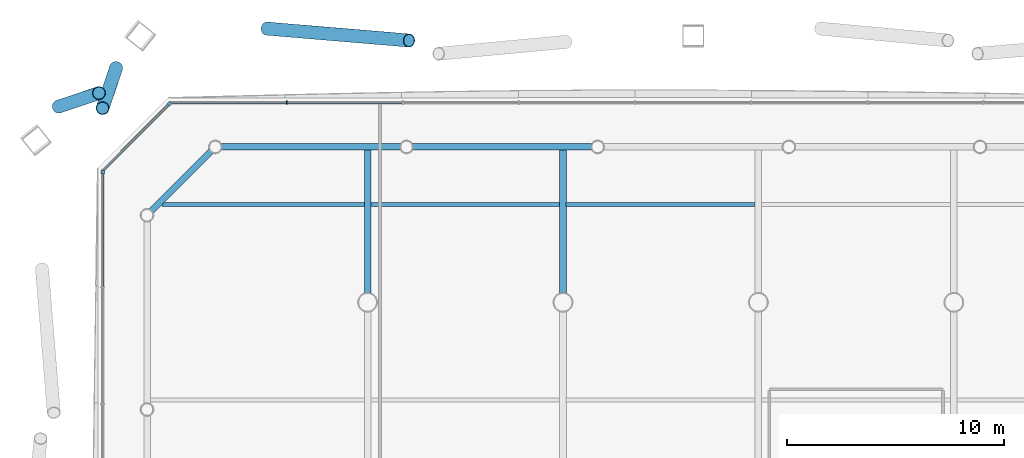
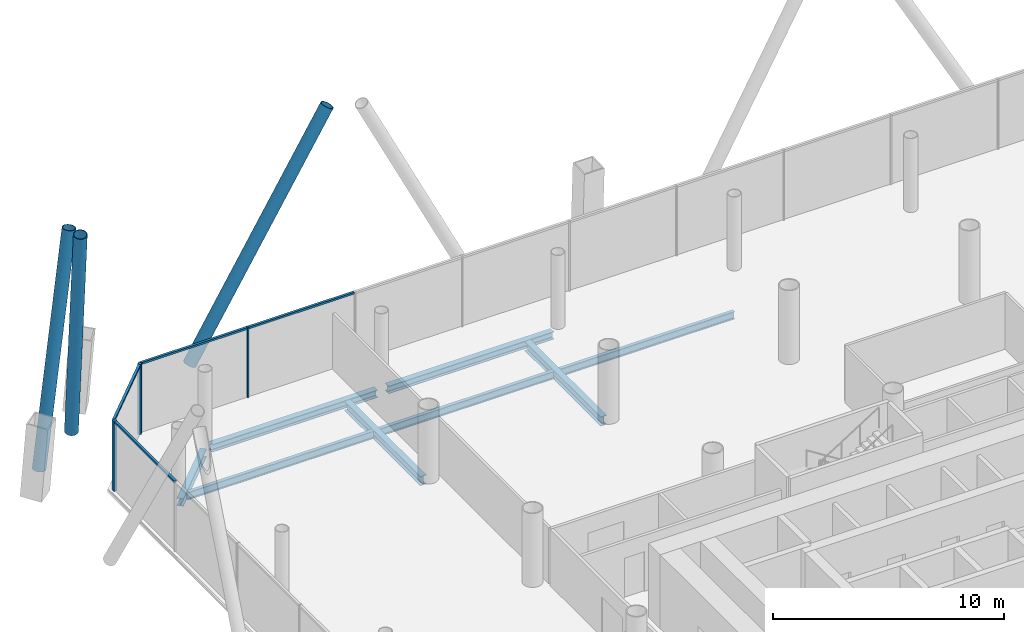
# One storey, part 12 of 25: 10 members, 8 beams, 3 elements without a shape of their own.
"""IFC4 building model written with IfcOpenShell, lengths in metres."""

from ifc_helpers import new_model, si_unit, direction, frame, origin, origin_2d, place, context, subcontext, project, spatial, rectangle, hollow_circle, i_section, extrude, material, material_profile, profile_set, type_object, element, aggregate, save


model = new_model("IFC4")

# Units and contexts
model_context = context("Model", 3, precision=1e-05, world=origin(), true_north=direction((0.0, 1.0)))
body_context = subcontext(model_context, "Body", "Model", "MODEL_VIEW")
ifc_project = project(units=[si_unit("LENGTHUNIT", "METRE"), si_unit("AREAUNIT", "SQUARE_METRE"), si_unit("VOLUMEUNIT", "CUBIC_METRE"), si_unit("PLANEANGLEUNIT", "RADIAN"), si_unit("MASSUNIT", "GRAM", prefix="KILO")], contexts=[model_context])

# Site, building, storey
site_placement = place(None, origin())
site = spatial("IfcSite", under=ifc_project, at=site_placement, CompositionType="ELEMENT")
building_placement = place(site_placement, origin())
building = spatial("IfcBuilding", under=site, at=building_placement, Name="Tskaro Facet Tower", CompositionType="ELEMENT")
storey_placement = place(building_placement, frame((0.0, 0.0, 22.5)))
storey = spatial("IfcBuildingStorey", under=building, at=storey_placement, Name="L04", CompositionType="ELEMENT", Elevation=22.5)

# Members
ifc_material_1 = material(Name="Steel S355J2H", Category="steel")
ifc_material_profile_1 = material_profile(ifc_material_1, hollow_circle(Radius=0.304931640625, WallThickness=0.030029296875, at=origin_2d()), Name="CHS 610x30")
ifc_profile_set_1 = profile_set([ifc_material_profile_1], Name="Steel S355J2H")
member_type_1 = type_object("IfcMemberType", Name="CHS 610x30 brace", PredefinedType="BRACE", material=ifc_profile_set_1)
member_1_placement = place(storey_placement, frame((-22.6357421875, 30.607177734375, 0.0), z_axis=(0.487810027403, -0.04081308111, 0.871995223367), x_axis=(0.083374631246, 0.996518274225, 0.0)))
element("IfcMember", 1, at=member_1_placement, inside=storey, type_object=member_type_1, Name="CHS 610x30 XB08B/1", PredefinedType="BRACE", context=body_context, shape_type="SweptSolid", body=[
    extrude(hollow_circle(Radius=0.304931640625, WallThickness=0.030029296875, at=origin_2d()), origin(), (0.0, 0.0, 1.0), 13.41748046875),
])
for number, where, z_axis, x_axis, name in (
    (2, (-29.584716796875, 28.78759765625, 0.0), (-0.052240920825, -0.155693587518, 0.986423029434), (0.948054746371, -0.318107211302, 0.0), "CHS 610x30 XB09A/1"),
    (3, (-32.218994140625, 27.01611328125, 0.0), (0.155713671967, 0.052240753397, 0.986419868031), (-0.318069415799, 0.948067427314, 0.0), "CHS 610x30 XB09B/1"),
):
    element("IfcMember", number, at=place(storey_placement, frame(where, z_axis=z_axis, x_axis=x_axis)), inside=storey, type_object=member_type_1, Name=name, PredefinedType="BRACE", context=body_context, shape_type="SweptSolid", body=[
        extrude(hollow_circle(Radius=0.304931640625, WallThickness=0.030029296875, at=origin_2d()), origin(), (0.0, 0.0, 1.0), 11.861083984375),
    ])

# Curtain wall, member
ifc_material_2 = material(Name="Bronze anodised aluminium 6063-T6", Category="aluminium")
curtain_wall_type = type_object("IfcCurtainWallType", Name="Bronze office curtain wall (FW1)", PredefinedType="NOTDEFINED", material=ifc_material_2)
curtain_wall_1_placement = place(storey_placement, origin())
curtain_wall_1 = element("IfcCurtainWall", 4, at=curtain_wall_1_placement, inside=storey, type_object=curtain_wall_type, Name="FW1 north-west facet L04", PredefinedType="NOTDEFINED")
ifc_material_profile_2 = material_profile(ifc_material_2, rectangle(XDim=0.159912109375, YDim=0.159912109375, at=origin_2d()), Name="Corner post 160x160")
ifc_profile_set_2 = profile_set([ifc_material_profile_2], Name="Bronze anodised aluminium 6063-T6")
member_type_2 = type_object("IfcMemberType", Name="FW1 bronze corner post 160x160", PredefinedType="MULLION", material=ifc_profile_set_2)
member_2_placement = place(storey_placement, frame((-27.12255859375, 27.1455078125, 0.0), z_axis=(0.0, 0.0, 1.0), x_axis=(-0.707106781187, -0.707106781187, 0.0)))
member_2 = element("IfcMember", 5, at=member_2_placement, type_object=member_type_2, Name="FW1 north-west corner post", PredefinedType="MULLION", context=body_context, shape_type="SweptSolid", body=[
    extrude(rectangle(XDim=0.159912109375, YDim=0.159912109375, at=origin_2d()), origin(), (0.0, 0.0, 1.0), 3.699951171875),
])

curtain_wall_2_placement = place(storey_placement, origin())
curtain_wall_2 = element("IfcCurtainWall", 6, at=curtain_wall_2_placement, inside=storey, type_object=curtain_wall_type, Name="FW1 west facet L04", PredefinedType="NOTDEFINED")
member_3_placement = place(storey_placement, frame((-30.201904296875, 23.986083984375, 0.0), z_axis=(0.0, 0.0, 1.0), x_axis=(0.0, -1.0, 0.0)))
member_3 = element("IfcMember", 7, at=member_3_placement, type_object=member_type_2, Name="FW1 west corner post", PredefinedType="MULLION", context=body_context, shape_type="SweptSolid", body=[
    extrude(rectangle(XDim=0.159912109375, YDim=0.159912109375, at=origin_2d()), origin(), (0.0, 0.0, 1.0), 3.699951171875),
])

# Curtain wall, members
curtain_wall_3_placement = place(storey_placement, origin())
curtain_wall_3 = element("IfcCurtainWall", 8, at=curtain_wall_3_placement, inside=storey, type_object=curtain_wall_type, Name="FW1 north facet L04", PredefinedType="NOTDEFINED")
ifc_material_profile_3 = material_profile(ifc_material_2, rectangle(XDim=0.06005859375, YDim=0.159912109375, at=origin_2d()), Name="Mullion 60x160")
ifc_profile_set_3 = profile_set([ifc_material_profile_3], Name="Bronze anodised aluminium 6063-T6")
member_type_3 = type_object("IfcMemberType", Name="FW1 bronze mullion 60x160", PredefinedType="MULLION", material=ifc_profile_set_3)
member_4_placement = place(storey_placement, frame((-21.718017578125, 27.201904296875, 0.0), z_axis=(0.0, 0.0, 1.0), x_axis=(-1.0, 0.0, 0.0)))
member_4 = element("IfcMember", 9, at=member_4_placement, type_object=member_type_3, Name="FW1 north mullion 8", PredefinedType="MULLION", context=body_context, shape_type="SweptSolid", body=[
    extrude(rectangle(XDim=0.06005859375, YDim=0.159912109375, at=origin_2d()), origin(), (0.0, 0.0, 1.0), 3.699951171875),
])
ifc_material_profile_4 = material_profile(ifc_material_2, rectangle(XDim=0.1201171875, YDim=0.10009765625, at=origin_2d()), Name="Transom 120x100")
ifc_profile_set_4 = profile_set([ifc_material_profile_4], Name="Bronze anodised aluminium 6063-T6")
member_type_4 = type_object("IfcMemberType", Name="FW1 bronze transom 120x100", PredefinedType="USERDEFINED", material=ifc_profile_set_4)
member_5_placement = place(storey_placement, frame((-16.39990234375, 27.201904296875, 3.64990234375), z_axis=(-1.0, 0.0, 0.0), x_axis=(0.0, -1.0, 0.0)))
member_5 = element("IfcMember", 10, at=member_5_placement, type_object=member_type_4, Name="FW1 north transom 8.1", ObjectType="TRANSOM", PredefinedType="USERDEFINED", context=body_context, shape_type="SweptSolid", body=[
    extrude(rectangle(XDim=0.1201171875, YDim=0.10009765625, at=origin_2d()), origin(), (0.0, 0.0, 1.0), 5.2880859375),
])
member_6_placement = place(storey_placement, frame((-21.748046875, 27.201904296875, 3.64990234375), z_axis=(-1.0, 0.0, 0.0), x_axis=(0.0, -1.0, 0.0)))
member_6 = element("IfcMember", 11, at=member_6_placement, type_object=member_type_4, Name="FW1 north transom 9.1", ObjectType="TRANSOM", PredefinedType="USERDEFINED", context=body_context, shape_type="SweptSolid", body=[
    extrude(rectangle(XDim=0.1201171875, YDim=0.10009765625, at=origin_2d()), origin(), (0.0, 0.0, 1.0), 5.31787109375),
])
aggregate(curtain_wall_3, [member_4, member_5, member_6])

# Member
member_7_placement = place(storey_placement, frame((-27.17919921875, 27.0888671875, 3.64990234375), z_axis=(-0.707078225638, -0.707135335582, 0.0), x_axis=(0.707135335582, -0.707078225638, 0.0)))
member_7 = element("IfcMember", 12, at=member_7_placement, type_object=member_type_4, Name="FW1 north-west transom 1.1", ObjectType="TRANSOM", PredefinedType="USERDEFINED", context=body_context, shape_type="SweptSolid", body=[
    extrude(rectangle(XDim=0.1201171875, YDim=0.10009765625, at=origin_2d()), origin(), (0.0, 0.0, 1.0), 4.27490234375),
])

aggregate(curtain_wall_1, [member_2, member_7])

member_8_placement = place(storey_placement, frame((-30.201904296875, 23.906005859375, 3.64990234375), z_axis=(0.0, -1.0, 0.0), x_axis=(1.0, 0.0, 0.0)))
member_8 = element("IfcMember", 13, at=member_8_placement, type_object=member_type_4, Name="FW1 west transom 1.1", ObjectType="TRANSOM", PredefinedType="USERDEFINED", context=body_context, shape_type="SweptSolid", body=[
    extrude(rectangle(XDim=0.1201171875, YDim=0.10009765625, at=origin_2d()), origin(), (0.0, 0.0, 1.0), 5.1845703125),
])

aggregate(curtain_wall_2, [member_3, member_8])

# Beams
ifc_material_3 = material(Name="Steel S355J2", Category="steel")
ifc_material_profile_5 = material_profile(ifc_material_3, i_section(OverallWidth=0.300048828125, OverallDepth=0.39990234375, WebThickness=0.013427734375, FlangeThickness=0.02392578125, FilletRadius=0.027099609375, at=origin_2d()), Name="HE 400 B")
ifc_profile_set_5 = profile_set([ifc_material_profile_5], Name="Steel S355J2")
beam_type_1 = type_object("IfcBeamType", Name="HE 400 B ring beam", PredefinedType="BEAM", material=ifc_profile_set_5)
beam_1_placement = place(storey_placement, frame((-7.677001953125, 25.156982421875, -0.340087890625), z_axis=(-1.0, 0.0, 0.0), x_axis=(0.0, -1.0, 0.0)))
element("IfcBeam", 14, at=beam_1_placement, inside=storey, type_object=beam_type_1, Name="HE 400 B EB17-1", PredefinedType="BEAM", context=body_context, shape_type="SweptSolid", body=[
    extrude(i_section(OverallWidth=0.300048828125, OverallDepth=0.39990234375, WebThickness=0.013427734375, FlangeThickness=0.02392578125, FilletRadius=0.027099609375, at=origin_2d()), origin(), (0.0, 0.0, 1.0), 8.2548828125),
])
beam_2_placement = place(storey_placement, frame((-16.48193359375, 25.156982421875, -0.340087890625), z_axis=(-1.0, 0.0, 0.0), x_axis=(0.0, -1.0, 0.0)))
element("IfcBeam", 15, at=beam_2_placement, inside=storey, type_object=beam_type_1, Name="HE 400 B EB18-1", PredefinedType="BEAM", context=body_context, shape_type="SweptSolid", body=[
    extrude(i_section(OverallWidth=0.300048828125, OverallDepth=0.39990234375, WebThickness=0.013427734375, FlangeThickness=0.02392578125, FilletRadius=0.027099609375, at=origin_2d()), origin(), (0.0, 0.0, 1.0), 8.255126953125),
])
beam_3_placement = place(storey_placement, frame((-25.20654296875, 24.962646484375, -0.340087890625), z_axis=(-0.707106781187, -0.707106781187, 0.0), x_axis=(0.707106781187, -0.707106781187, 0.0)))
element("IfcBeam", 16, at=beam_3_placement, inside=storey, type_object=beam_type_1, Name="HE 400 B EB19-1", PredefinedType="BEAM", context=body_context, shape_type="SweptSolid", body=[
    extrude(i_section(OverallWidth=0.300048828125, OverallDepth=0.39990234375, WebThickness=0.013427734375, FlangeThickness=0.02392578125, FilletRadius=0.027099609375, at=origin_2d()), origin(), (0.0, 0.0, 1.0), 3.897705078125),
])
ifc_material_profile_6 = material_profile(ifc_material_3, i_section(OverallWidth=0.300048828125, OverallDepth=0.489990234375, WebThickness=0.011962890625, FlangeThickness=0.02294921875, FilletRadius=0.027099609375, at=origin_2d()), Name="HE 500 A")
ifc_profile_set_6 = profile_set([ifc_material_profile_6], Name="Steel S355J2")
beam_type_2 = type_object("IfcBeamType", Name="HE 500 A girder", PredefinedType="BEAM", material=ifc_profile_set_6)
for number, where, z_axis, x_axis, name in (
    (17, (-18.0, 18.42724609375, -0.385009765625), (0.0, 1.0, 0.0), (-1.0, 0.0, 0.0), "HE 500 A GB2-6-1"),
    (18, (-9.0, 18.42724609375, -0.385009765625), (0.0, 1.0, 0.0), (-1.0, 0.0, 0.0), "HE 500 A GB3-5-1"),
):
    element("IfcBeam", number, at=place(storey_placement, frame(where, z_axis=z_axis, x_axis=x_axis)), inside=storey, type_object=beam_type_2, Name=name, PredefinedType="BEAM", context=body_context, shape_type="SweptSolid", body=[
        extrude(i_section(OverallWidth=0.300048828125, OverallDepth=0.489990234375, WebThickness=0.011962890625, FlangeThickness=0.02294921875, FilletRadius=0.027099609375, at=origin_2d()), origin(), (0.0, 0.0, 1.0), 6.579833984375),
    ])
ifc_material_profile_7 = material_profile(ifc_material_3, i_section(OverallWidth=0.179931640625, OverallDepth=0.39990234375, WebThickness=0.008544921875, FlangeThickness=0.013427734375, FilletRadius=0.02099609375, at=origin_2d()), Name="IPE 400")
ifc_profile_set_7 = profile_set([ifc_material_profile_7], Name="Steel S355J2")
beam_type_3 = type_object("IfcBeamType", Name="IPE 400 secondary beam", PredefinedType="BEAM", material=ifc_profile_set_7)
beam_4_placement = place(storey_placement, frame((-27.45703125, 22.5, -0.340087890625), z_axis=(1.0, 0.0, 0.0), x_axis=(0.0, 1.0, 0.0)))
element("IfcBeam", 19, at=beam_4_placement, inside=storey, type_object=beam_type_3, Name="IPE 400 SB6a-1-1", PredefinedType="BEAM", context=body_context, shape_type="SweptSolid", body=[
    extrude(i_section(OverallWidth=0.179931640625, OverallDepth=0.39990234375, WebThickness=0.008544921875, FlangeThickness=0.013427734375, FilletRadius=0.02099609375, at=origin_2d()), origin(), (0.0, 0.0, 1.0), 9.30712890625),
])
for number, where, z_axis, x_axis, name in (
    (20, (-17.85009765625, 22.5, -0.340087890625), (1.0, 0.0, 0.0), (0.0, 1.0, 0.0), "IPE 400 SB6a-2-1"),
    (21, (-8.85009765625, 22.5, -0.340087890625), (1.0, 0.0, 0.0), (0.0, 1.0, 0.0), "IPE 400 SB6a-3-1"),
):
    element("IfcBeam", number, at=place(storey_placement, frame(where, z_axis=z_axis, x_axis=x_axis)), inside=storey, type_object=beam_type_3, Name=name, PredefinedType="BEAM", context=body_context, shape_type="SweptSolid", body=[
        extrude(i_section(OverallWidth=0.179931640625, OverallDepth=0.39990234375, WebThickness=0.008544921875, FlangeThickness=0.013427734375, FilletRadius=0.02099609375, at=origin_2d()), origin(), (0.0, 0.0, 1.0), 8.7001953125),
    ])

save(model, "model.ifc")
